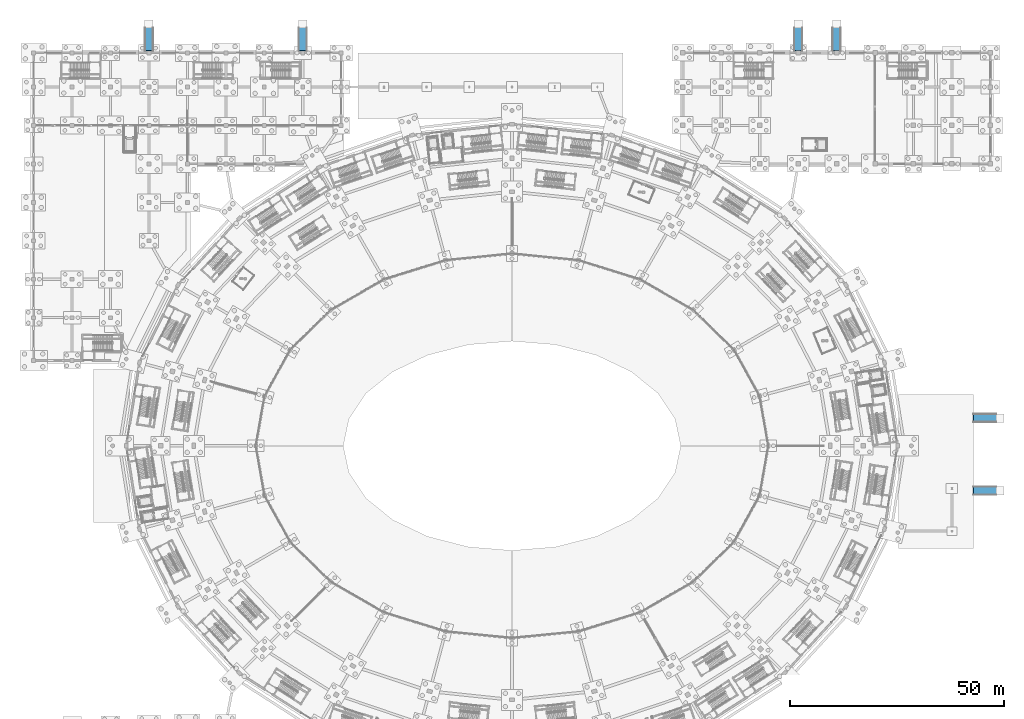
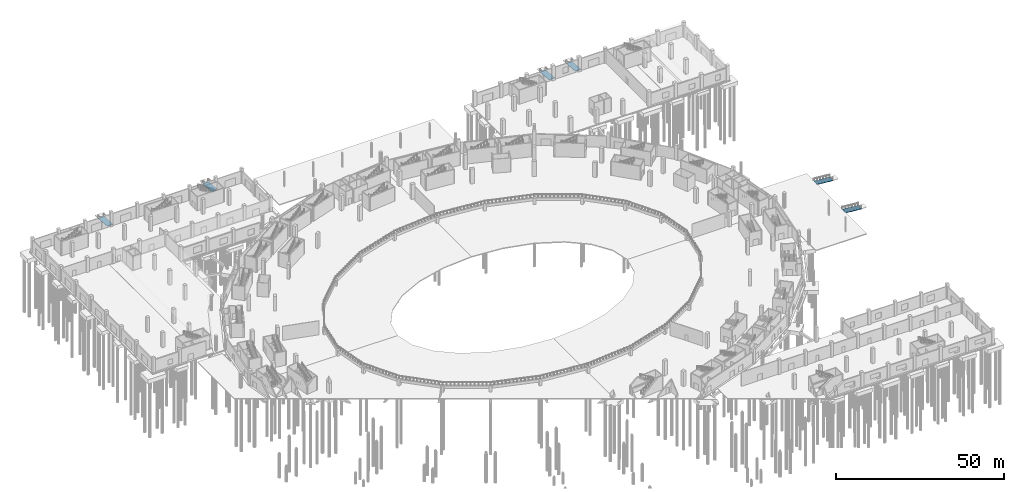
# One storey, part 56 of 103: 6 ramp flights, 6 elements without a shape of their own.
"""IFC4 building model written with IfcOpenShell, lengths in metres."""

from ifc_helpers import new_model, si_unit, direction, frame, origin, place, context, subcontext, project, spatial, polyline, outline, extrude, material, layer, layer_set, type_object, element, aggregate, save


model = new_model("IFC4")

# Units and contexts
model_context = context("Model", 3, precision=1e-05, world=origin(), true_north=direction((0.0, 1.0)))
body_context = subcontext(model_context, "Body", "Model", "MODEL_VIEW")
ifc_project = project(units=[si_unit("LENGTHUNIT", "METRE"), si_unit("AREAUNIT", "SQUARE_METRE"), si_unit("VOLUMEUNIT", "CUBIC_METRE"), si_unit("PLANEANGLEUNIT", "RADIAN"), si_unit("MASSUNIT", "GRAM", prefix="KILO")], contexts=[model_context])

# Site, building, storey
site_placement = place(None, origin())
site = spatial("IfcSite", under=ifc_project, at=site_placement, CompositionType="ELEMENT")
building_placement = place(site_placement, origin())
building = spatial("IfcBuilding", under=site, at=building_placement, Name="Zevraka Park Crest Stadium", CompositionType="ELEMENT")
storey_placement = place(building_placement, origin())
storey = spatial("IfcBuildingStorey", under=building, at=storey_placement, Name="L00", CompositionType="ELEMENT", Elevation=0.0)

# Ramp, ramp flight
ifc_material_1 = material(Name="Concrete C35/45", Category="concrete")
ramp_type = type_object("IfcRampType", Name="RMP01", PredefinedType="STRAIGHT_RUN_RAMP", material=ifc_material_1)
ramp_1_placement = place(storey_placement, origin())
ramp_1 = element("IfcRamp", 1, at=ramp_1_placement, inside=storey, type_object=ramp_type, Name="Accessible Step-Free Pedestrian Ramp RM01", PredefinedType="STRAIGHT_RUN_RAMP")
ifc_material_2 = material(Name="Concrete C35/45", Category="concrete")
ifc_layer = layer(ifc_material_2, 0.199951171875)
ifc_layer_set = layer_set([ifc_layer], Name="Concrete C35/45")
ramp_flight_type = type_object("IfcRampFlightType", Name="RMF01", PredefinedType="STRAIGHT", material=ifc_layer_set)
ramp_flight_1_placement = place(storey_placement, frame((225.39990234375, 82.5, -0.449951171875), z_axis=(0.083038022323, 0.0, 0.996546379678), x_axis=(-0.996546379678, 0.0, 0.083038022323)))
ramp_flight_1 = element("IfcRampFlight", 2, at=ramp_flight_1_placement, type_object=ramp_flight_type, Name="Accessible Ramp Flight RM01", PredefinedType="STRAIGHT", context=body_context, shape_type="SweptSolid", body=[
    extrude(outline(polyline([(0.0, 0.0), (5.418616186731482, 0.0), (5.418616186731482, 2.0), (0.0, 2.0), (0.0, 0.0)])), origin(), (0.0, 0.0, -1.0), 0.199951171875),
])
aggregate(ramp_1, [ramp_flight_1])

ramp_2_placement = place(storey_placement, origin())
ramp_2 = element("IfcRamp", 3, at=ramp_2_placement, inside=storey, type_object=ramp_type, Name="Accessible Step-Free Pedestrian Ramp RM02", PredefinedType="STRAIGHT_RUN_RAMP")
ramp_flight_2_placement = place(storey_placement, frame((225.39990234375, 99.5, -0.449951171875), z_axis=(0.083038022323, 0.0, 0.996546379678), x_axis=(-0.996546379678, 0.0, 0.083038022323)))
ramp_flight_2 = element("IfcRampFlight", 4, at=ramp_flight_2_placement, type_object=ramp_flight_type, Name="Accessible Ramp Flight RM02", PredefinedType="STRAIGHT", context=body_context, shape_type="SweptSolid", body=[
    extrude(outline(polyline([(0.0, 0.0), (5.418616186731482, 0.0), (5.418616186731482, 2.0), (0.0, 2.0), (0.0, 0.0)])), origin(), (0.0, 0.0, -1.0), 0.199951171875),
])
aggregate(ramp_2, [ramp_flight_2])

ramp_3_placement = place(storey_placement, origin())
ramp_3 = element("IfcRamp", 5, at=ramp_3_placement, inside=storey, type_object=ramp_type, Name="Accessible Step-Free Pedestrian Ramp RM03", PredefinedType="STRAIGHT_RUN_RAMP")
ramp_flight_3_placement = place(storey_placement, frame((178.0, 189.89990234375, -0.449951171875), z_axis=(0.0, 0.083038022323, 0.996546379678), x_axis=(0.0, -0.996546379678, 0.083038022323)))
ramp_flight_3 = element("IfcRampFlight", 6, at=ramp_flight_3_placement, type_object=ramp_flight_type, Name="Accessible Ramp Flight RM03", PredefinedType="STRAIGHT", context=body_context, shape_type="SweptSolid", body=[
    extrude(outline(polyline([(0.0, 0.0), (5.418616186731482, 0.0), (5.418616186731482, 2.0), (0.0, 2.0), (0.0, 0.0)])), origin(), (0.0, 0.0, -1.0), 0.199951171875),
])
aggregate(ramp_3, [ramp_flight_3])

ramp_4_placement = place(storey_placement, origin())
ramp_4 = element("IfcRamp", 7, at=ramp_4_placement, inside=storey, type_object=ramp_type, Name="Accessible Step-Free Pedestrian Ramp RM04", PredefinedType="STRAIGHT_RUN_RAMP")
ramp_flight_4_placement = place(storey_placement, frame((187.0, 189.89990234375, -0.449951171875), z_axis=(0.0, 0.083038022323, 0.996546379678), x_axis=(0.0, -0.996546379678, 0.083038022323)))
ramp_flight_4 = element("IfcRampFlight", 8, at=ramp_flight_4_placement, type_object=ramp_flight_type, Name="Accessible Ramp Flight RM04", PredefinedType="STRAIGHT", context=body_context, shape_type="SweptSolid", body=[
    extrude(outline(polyline([(0.0, 0.0), (5.418616186731482, 0.0), (5.418616186731482, 2.0), (0.0, 2.0), (0.0, 0.0)])), origin(), (0.0, 0.0, -1.0), 0.199951171875),
])
aggregate(ramp_4, [ramp_flight_4])

ramp_5_placement = place(storey_placement, origin())
ramp_5 = element("IfcRamp", 9, at=ramp_5_placement, inside=storey, type_object=ramp_type, Name="Accessible Step-Free Pedestrian Ramp RM05", PredefinedType="STRAIGHT_RUN_RAMP")
ramp_flight_5_placement = place(storey_placement, frame((26.0, 189.89990234375, -0.449951171875), z_axis=(0.0, 0.083038022323, 0.996546379678), x_axis=(0.0, -0.996546379678, 0.083038022323)))
ramp_flight_5 = element("IfcRampFlight", 10, at=ramp_flight_5_placement, type_object=ramp_flight_type, Name="Accessible Ramp Flight RM05", PredefinedType="STRAIGHT", context=body_context, shape_type="SweptSolid", body=[
    extrude(outline(polyline([(0.0, 0.0), (5.418616186731482, 0.0), (5.418616186731482, 2.0), (0.0, 2.0), (0.0, 0.0)])), origin(), (0.0, 0.0, -1.0), 0.199951171875),
])
aggregate(ramp_5, [ramp_flight_5])

ramp_6_placement = place(storey_placement, origin())
ramp_6 = element("IfcRamp", 11, at=ramp_6_placement, inside=storey, type_object=ramp_type, Name="Accessible Step-Free Pedestrian Ramp RM06", PredefinedType="STRAIGHT_RUN_RAMP")
ramp_flight_6_placement = place(storey_placement, frame((62.0, 189.89990234375, -0.449951171875), z_axis=(0.0, 0.083038022323, 0.996546379678), x_axis=(0.0, -0.996546379678, 0.083038022323)))
ramp_flight_6 = element("IfcRampFlight", 12, at=ramp_flight_6_placement, type_object=ramp_flight_type, Name="Accessible Ramp Flight RM06", PredefinedType="STRAIGHT", context=body_context, shape_type="SweptSolid", body=[
    extrude(outline(polyline([(0.0, 0.0), (5.418616186731482, 0.0), (5.418616186731482, 2.0), (0.0, 2.0), (0.0, 0.0)])), origin(), (0.0, 0.0, -1.0), 0.199951171875),
])
aggregate(ramp_6, [ramp_flight_6])

save(model, "model.ifc")
